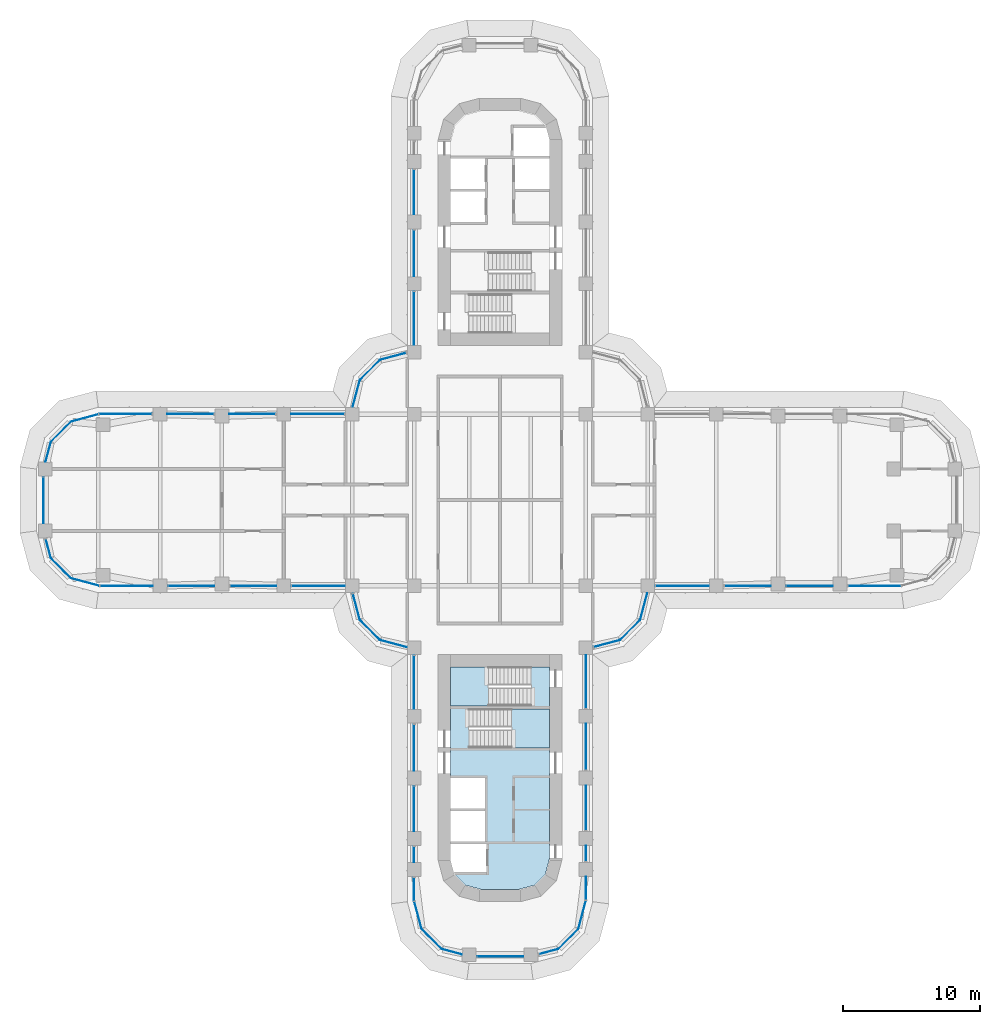
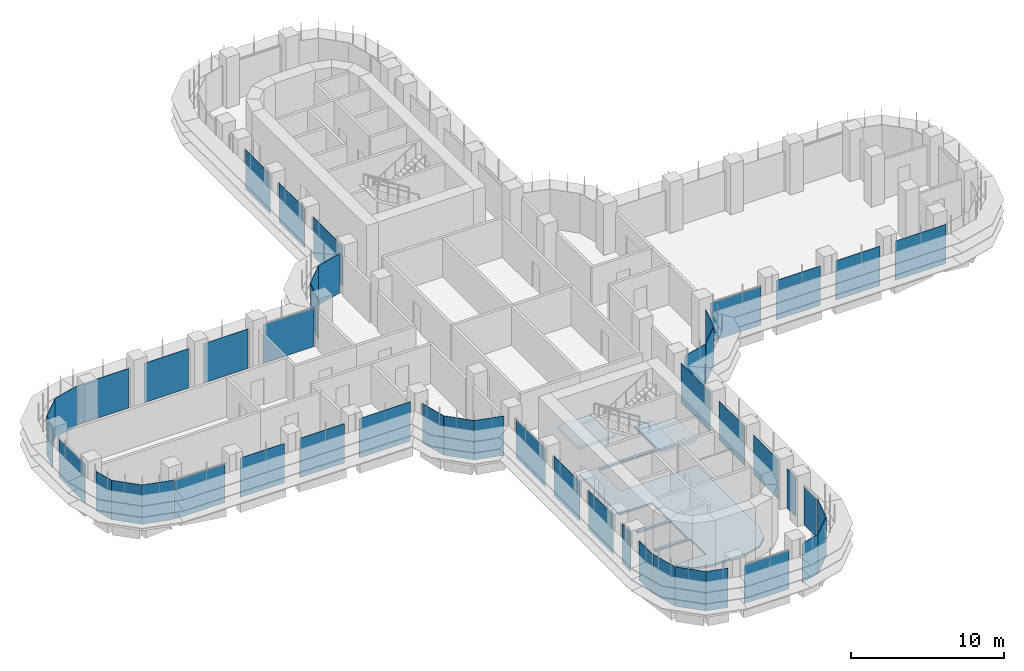
# One storey, part 13 of 23: 48 plates, 3 slabs, 31 elements without a shape of their own.
"""IFC4 building model written with IfcOpenShell, lengths in metres."""

from ifc_helpers import new_model, si_unit, direction, frame, origin, place, context, subcontext, project, spatial, polyline, outline, extrude, source, transform, mapped, material, layer, layer_set, type_object, element, aggregate, save


model = new_model("IFC4")

# Units and contexts
model_context = context("Model", 3, precision=1e-05, world=origin(), true_north=direction((0.0, 1.0)))
body_context = subcontext(model_context, "Body", "Model", "MODEL_VIEW")
ifc_project = project(units=[si_unit("LENGTHUNIT", "METRE"), si_unit("AREAUNIT", "SQUARE_METRE"), si_unit("VOLUMEUNIT", "CUBIC_METRE"), si_unit("PLANEANGLEUNIT", "RADIAN"), si_unit("MASSUNIT", "GRAM", prefix="KILO")], contexts=[model_context])

# Site, building, storey
site_placement = place(None, origin())
site = spatial("IfcSite", under=ifc_project, at=site_placement, CompositionType="ELEMENT")
building_placement = place(site_placement, origin())
building = spatial("IfcBuilding", under=site, at=building_placement, Name="Zarbagh Exchange Tower", CompositionType="ELEMENT")
storey_placement = place(building_placement, frame((0.0, 0.0, 60.60009765625)))
storey = spatial("IfcBuildingStorey", under=building, at=storey_placement, Name="L13", CompositionType="ELEMENT", Elevation=60.60009765625)

# Slab
ifc_material_1 = material(Name="Concrete C40/50", Category="concrete")
ifc_layer_1 = layer(ifc_material_1, 0.14990234375)
ifc_layer_set_1 = layer_set([ifc_layer_1], Name="Core floor slab 150 C40/50")
slab_type_1 = type_object("IfcSlabType", Name="Core floor slab 150 C40/50", PredefinedType="FLOOR", material=ifc_layer_set_1)
slab_1_placement = place(storey_placement, frame((0.0, 0.0, -0.150146484375)))
element("IfcSlab", 1, at=slab_1_placement, inside=storey, type_object=slab_type_1, Name="S17 core S", PredefinedType="FLOOR", context=body_context, shape_type="SweptSolid", body=[
    extrude(outline(polyline([(-2.5341796875, -28.041259765625), (-3.291259765625, -27.2841796875), (-3.340576171875, -27.10009765625), (-1.0, -27.10009765625), (-1.0, -25.050048828125), (-3.60009765625, -25.050048828125), (-3.60009765625, -24.85009765625), (-1.10009765625, -24.85009765625), (-1.10009765625, -22.64990234375), (-3.60009765625, -22.64990234375), (-3.60009765625, -22.449951171875), (-1.10009765625, -22.449951171875), (-1.10009765625, -20.25), (-3.60009765625, -20.25), (-3.60009765625, -15.0), (2.25, -15.0), (2.25, -12.14990234375), (3.60009765625, -12.14990234375), (3.60009765625, -15.199951171875), (-2.25, -15.199951171875), (-2.25, -18.050048828125), (3.60009765625, -18.050048828125), (3.60009765625, -26.131591796875), (3.291259765625, -27.2841796875), (2.5341796875, -28.041259765625), (1.381591796875, -28.35009765625), (-1.381591796875, -28.35009765625), (-2.5341796875, -28.041259765625)])), origin(), (0.0, 0.0, 1.0), 0.150146484375),
])

# Stair, slab
stair_type = type_object("IfcStairType", Name="Exit stair two-flight half-turn", PredefinedType="HALF_TURN_STAIR", material=ifc_material_1)
stair_1_placement = place(storey_placement, origin())
stair_1 = element("IfcStair", 2, at=stair_1_placement, inside=storey, type_object=stair_type, Name="exit stair ST3", PredefinedType="HALF_TURN_STAIR")
ifc_layer_2 = layer(ifc_material_1, 0.199951171875)
ifc_layer_set_2 = layer_set([ifc_layer_2], Name="Stair landing 200 mm")
slab_type_2 = type_object("IfcSlabType", Name="Stair landing 200 mm", PredefinedType="LANDING", material=ifc_layer_set_2)
slab_2_placement = place(storey_placement, frame((0.0, 0.0, 1.89990234375)))
slab_2 = element("IfcSlab", 3, at=slab_2_placement, type_object=slab_type_2, Name="ST3 landing 1", PredefinedType="LANDING", context=body_context, shape_type="SweptSolid", body=[
    extrude(outline(polyline([(0.830078125, -18.050048828125), (3.60009765625, -18.050048828125), (3.60009765625, -15.199951171875), (0.830078125, -15.199951171875), (0.830078125, -18.050048828125)])), origin(), (0.0, 0.0, 1.0), 0.199951171875),
])
aggregate(stair_1, [slab_2])

stair_2_placement = place(storey_placement, origin())
stair_2 = element("IfcStair", 4, at=stair_2_placement, inside=storey, type_object=stair_type, Name="exit stair ST4", PredefinedType="HALF_TURN_STAIR")
slab_3_placement = place(storey_placement, frame((0.0, 0.0, 1.89990234375)))
slab_3 = element("IfcSlab", 5, at=slab_3_placement, type_object=slab_type_2, Name="ST4 landing 1", PredefinedType="LANDING", context=body_context, shape_type="SweptSolid", body=[
    extrude(outline(polyline([(-0.830078125, -12.14990234375), (-3.60009765625, -12.14990234375), (-3.60009765625, -15.0), (-0.830078125, -15.0), (-0.830078125, -12.14990234375)])), origin(), (0.0, 0.0, 1.0), 0.199951171875),
])
aggregate(stair_2, [slab_3])

# Curtain wall, plate
ifc_material_2 = material(Name="Anodised aluminium frame and glazing", Category="aluminium")
curtain_wall_type = type_object("IfcCurtainWallType", Name="CWA Ribbon glazing, lower zones", PredefinedType="NOTDEFINED", material=ifc_material_2)
curtain_wall_1_placement = place(storey_placement, origin())
curtain_wall_1 = element("IfcCurtainWall", 6, at=curtain_wall_1_placement, inside=storey, type_object=curtain_wall_type, Name="CWA01 curtain wall", PredefinedType="NOTDEFINED")
ifc_material_3 = material(Name="Low-e double glazed unit, 6+12+6 mm")
ifc_layer_3 = layer(ifc_material_3, 0.028076171875)
ifc_layer_set_3 = layer_set([ifc_layer_3], Name="PAA Glazing panel, Low-e double glazed unit, 6+12+6 mm")
plate_type = type_object("IfcPlateType", Name="PAA Glazing panel, Low-e double glazed unit, 6+12+6 mm", PredefinedType="CURTAIN_PANEL", material=ifc_layer_set_3)
shared_shape_1 = source(origin(), body_context, "Body", "SweptSolid", [
    extrude(outline(polyline([(0.0, -0.013916015625), (1.4423828125, -0.013916015625), (1.4423828125, 0.013916015625), (0.0, 0.013916015625), (0.0, -0.013916015625)])), origin(), (0.0, 0.0, 1.0), 3.14990234375),
])
placement = place(storey_placement, origin())
plate_1 = element("IfcPlate", 7, at=placement, type_object=plate_type, Name="CWA01 glazing panel 1.1", PredefinedType="CURTAIN_PANEL", context=body_context, shape_type="MappedRepresentation", body=[
    mapped(shared_shape_1, transform((2.847900390625, -33.072021484375, 0.0), x_axis=(0.965924289636, 0.258824779902, 0.0), y_axis=(-0.258824779902, 0.965924289636, 0.0), z_axis=(0.0, 0.0, 1.0))),
])
aggregate(curtain_wall_1, [plate_1])

curtain_wall_2_placement = place(storey_placement, origin())
curtain_wall_2 = element("IfcCurtainWall", 8, at=curtain_wall_2_placement, inside=storey, type_object=curtain_wall_type, Name="CWA37 curtain wall", PredefinedType="NOTDEFINED")
plate_2 = element("IfcPlate", 9, at=placement, type_object=plate_type, Name="CWA37 glazing panel 1.1", PredefinedType="CURTAIN_PANEL", context=body_context, shape_type="MappedRepresentation", body=[
    mapped(shared_shape_1, transform((-33.072021484375, -2.847900390625, 0.0), x_axis=(0.258824779902, -0.965924289636, 0.0), y_axis=(0.965924289636, 0.258824779902, 0.0), z_axis=(0.0, 0.0, 1.0))),
])
aggregate(curtain_wall_2, [plate_2])

curtain_wall_3_placement = place(storey_placement, origin())
curtain_wall_3 = element("IfcCurtainWall", 10, at=curtain_wall_3_placement, inside=storey, type_object=curtain_wall_type, Name="CWA02 curtain wall", PredefinedType="NOTDEFINED")
shared_shape_2 = source(origin(), body_context, "Body", "SweptSolid", [
    extrude(outline(polyline([(0.0, -0.013916015625), (2.061279296875, -0.013916015625), (2.061279296875, 0.013916015625), (0.0, 0.013916015625), (0.0, -0.013916015625)])), origin(), (0.0, 0.0, 1.0), 3.14990234375),
])
plate_3 = element("IfcPlate", 11, at=placement, type_object=plate_type, Name="CWA02 glazing panel 1.1", PredefinedType="CURTAIN_PANEL", context=body_context, shape_type="MappedRepresentation", body=[
    mapped(shared_shape_2, transform((4.2412109375, -32.69873046875, 0.0), x_axis=(0.707106781187, 0.707106781187, 0.0), y_axis=(-0.707106781187, 0.707106781187, 0.0), z_axis=(0.0, 0.0, 1.0))),
])
aggregate(curtain_wall_3, [plate_3])

curtain_wall_4_placement = place(storey_placement, origin())
curtain_wall_4 = element("IfcCurtainWall", 12, at=curtain_wall_4_placement, inside=storey, type_object=curtain_wall_type, Name="CWA06 curtain wall", PredefinedType="NOTDEFINED")
plate_4 = element("IfcPlate", 13, at=placement, type_object=plate_type, Name="CWA06 glazing panel 1.1", PredefinedType="CURTAIN_PANEL", context=body_context, shape_type="MappedRepresentation", body=[
    mapped(shared_shape_2, transform((8.7412109375, -10.19873046875, 0.0), x_axis=(0.707106781187, 0.707106781187, 0.0), y_axis=(-0.707106781187, 0.707106781187, 0.0), z_axis=(0.0, 0.0, 1.0))),
])
aggregate(curtain_wall_4, [plate_4])

curtain_wall_5_placement = place(storey_placement, origin())
curtain_wall_5 = element("IfcCurtainWall", 14, at=curtain_wall_5_placement, inside=storey, type_object=curtain_wall_type, Name="CWA30 curtain wall", PredefinedType="NOTDEFINED")
plate_5 = element("IfcPlate", 15, at=placement, type_object=plate_type, Name="CWA30 glazing panel 1.1", PredefinedType="CURTAIN_PANEL", context=body_context, shape_type="MappedRepresentation", body=[
    mapped(shared_shape_2, transform((-8.7412109375, 10.19873046875, 0.0), x_axis=(-0.707106781187, -0.707106781187, 0.0), y_axis=(0.707106781187, -0.707106781187, 0.0), z_axis=(0.0, 0.0, 1.0))),
])
aggregate(curtain_wall_5, [plate_5])

curtain_wall_6_placement = place(storey_placement, origin())
curtain_wall_6 = element("IfcCurtainWall", 16, at=curtain_wall_6_placement, inside=storey, type_object=curtain_wall_type, Name="CWA34 curtain wall", PredefinedType="NOTDEFINED")
plate_6 = element("IfcPlate", 17, at=placement, type_object=plate_type, Name="CWA34 glazing panel 1.1", PredefinedType="CURTAIN_PANEL", context=body_context, shape_type="MappedRepresentation", body=[
    mapped(shared_shape_2, transform((-31.2412109375, 5.69873046875, 0.0), x_axis=(-0.707106781187, -0.707106781187, 0.0), y_axis=(0.707106781187, -0.707106781187, 0.0), z_axis=(0.0, 0.0, 1.0))),
])
aggregate(curtain_wall_6, [plate_6])

curtain_wall_7_placement = place(storey_placement, origin())
curtain_wall_7 = element("IfcCurtainWall", 18, at=curtain_wall_7_placement, inside=storey, type_object=curtain_wall_type, Name="CWA38 curtain wall", PredefinedType="NOTDEFINED")
plate_7 = element("IfcPlate", 19, at=placement, type_object=plate_type, Name="CWA38 glazing panel 1.1", PredefinedType="CURTAIN_PANEL", context=body_context, shape_type="MappedRepresentation", body=[
    mapped(shared_shape_2, transform((-32.69873046875, -4.2412109375, 0.0), x_axis=(0.707106781187, -0.707106781187, 0.0), y_axis=(0.707106781187, 0.707106781187, 0.0), z_axis=(0.0, 0.0, 1.0))),
])
aggregate(curtain_wall_7, [plate_7])

curtain_wall_8_placement = place(storey_placement, origin())
curtain_wall_8 = element("IfcCurtainWall", 20, at=curtain_wall_8_placement, inside=storey, type_object=curtain_wall_type, Name="CWA42 curtain wall", PredefinedType="NOTDEFINED")
plate_8 = element("IfcPlate", 21, at=placement, type_object=plate_type, Name="CWA42 glazing panel 1.1", PredefinedType="CURTAIN_PANEL", context=body_context, shape_type="MappedRepresentation", body=[
    mapped(shared_shape_2, transform((-10.19873046875, -8.7412109375, 0.0), x_axis=(0.707106781187, -0.707106781187, 0.0), y_axis=(0.707106781187, 0.707106781187, 0.0), z_axis=(0.0, 0.0, 1.0))),
])
aggregate(curtain_wall_8, [plate_8])

curtain_wall_9_placement = place(storey_placement, origin())
curtain_wall_9 = element("IfcCurtainWall", 22, at=curtain_wall_9_placement, inside=storey, type_object=curtain_wall_type, Name="CWA46 curtain wall", PredefinedType="NOTDEFINED")
plate_9 = element("IfcPlate", 23, at=placement, type_object=plate_type, Name="CWA46 glazing panel 1.1", PredefinedType="CURTAIN_PANEL", context=body_context, shape_type="MappedRepresentation", body=[
    mapped(shared_shape_2, transform((-5.69873046875, -31.2412109375, 0.0), x_axis=(0.707106781187, -0.707106781187, 0.0), y_axis=(0.707106781187, 0.707106781187, 0.0), z_axis=(0.0, 0.0, 1.0))),
])
aggregate(curtain_wall_9, [plate_9])

curtain_wall_10_placement = place(storey_placement, origin())
curtain_wall_10 = element("IfcCurtainWall", 24, at=curtain_wall_10_placement, inside=storey, type_object=curtain_wall_type, Name="CWA03 curtain wall", PredefinedType="NOTDEFINED")
shared_shape_3 = source(origin(), body_context, "Body", "SweptSolid", [
    extrude(outline(polyline([(0.0, -0.013916015625), (2.129638671875, -0.013916015625), (2.129638671875, 0.013916015625), (0.0, 0.013916015625), (0.0, -0.013916015625)])), origin(), (0.0, 0.0, 1.0), 3.14990234375),
])
plate_10 = element("IfcPlate", 25, at=placement, type_object=plate_type, Name="CWA03 glazing panel 1.1", PredefinedType="CURTAIN_PANEL", context=body_context, shape_type="MappedRepresentation", body=[
    mapped(shared_shape_3, transform((5.69873046875, -31.2412109375, 0.0), x_axis=(0.258824779902, 0.965924289636, 0.0), y_axis=(-0.965924289636, 0.258824779902, 0.0), z_axis=(0.0, 0.0, 1.0))),
])
aggregate(curtain_wall_10, [plate_10])

curtain_wall_11_placement = place(storey_placement, origin())
curtain_wall_11 = element("IfcCurtainWall", 26, at=curtain_wall_11_placement, inside=storey, type_object=curtain_wall_type, Name="CWA39 curtain wall", PredefinedType="NOTDEFINED")
plate_11 = element("IfcPlate", 27, at=placement, type_object=plate_type, Name="CWA39 glazing panel 1.1", PredefinedType="CURTAIN_PANEL", context=body_context, shape_type="MappedRepresentation", body=[
    mapped(shared_shape_3, transform((-31.2412109375, -5.69873046875, 0.0), x_axis=(0.965924289636, -0.258824779902, 0.0), y_axis=(0.258824779902, 0.965924289636, 0.0), z_axis=(0.0, 0.0, 1.0))),
])
aggregate(curtain_wall_11, [plate_11])

# Curtain wall, plates
curtain_wall_12_placement = place(storey_placement, origin())
curtain_wall_12 = element("IfcCurtainWall", 28, at=curtain_wall_12_placement, inside=storey, type_object=curtain_wall_type, Name="CWA04 curtain wall", PredefinedType="NOTDEFINED")
shared_shape_4 = source(origin(), body_context, "Body", "SweptSolid", [
    extrude(outline(polyline([(0.0, -0.013916015625), (1.68408203125, -0.013916015625), (1.68408203125, 0.013916015625), (0.0, 0.013916015625), (0.0, -0.013916015625)])), origin(), (0.0, 0.0, 1.0), 3.090087890625),
])
plate_12 = element("IfcPlate", 29, at=placement, type_object=plate_type, Name="CWA04 glazing panel 1.1", PredefinedType="CURTAIN_PANEL", context=body_context, shape_type="MappedRepresentation", body=[
    mapped(shared_shape_4, transform((6.25, -29.124267578125, 0.0), x_axis=(0.0, 1.0, 0.0), y_axis=(-1.0, 0.0, 0.0), z_axis=(0.0, 0.0, 1.0))),
])
shared_shape_5 = source(origin(), body_context, "Body", "SweptSolid", [
    extrude(outline(polyline([(0.0, -0.013916015625), (1.110107421875, -0.013916015625), (1.110107421875, 0.013916015625), (0.0, 0.013916015625), (0.0, -0.013916015625)])), origin(), (0.0, 0.0, 1.0), 3.14990234375),
])
plate_13 = element("IfcPlate", 30, at=placement, type_object=plate_type, Name="CWA04 glazing panel 2.1", PredefinedType="CURTAIN_PANEL", context=body_context, shape_type="MappedRepresentation", body=[
    mapped(shared_shape_5, transform((6.25, -26.300048828125, 0.0), x_axis=(0.0, 1.0, 0.0), y_axis=(-1.0, 0.0, 0.0), z_axis=(0.0, 0.0, 1.0))),
])

# Curtain wall, plate
curtain_wall_13_placement = place(storey_placement, origin())
curtain_wall_13 = element("IfcCurtainWall", 31, at=curtain_wall_13_placement, inside=storey, type_object=curtain_wall_type, Name="CWA44 curtain wall", PredefinedType="NOTDEFINED")
plate_14 = element("IfcPlate", 32, at=placement, type_object=plate_type, Name="CWA44 glazing panel 4.1", PredefinedType="CURTAIN_PANEL", context=body_context, shape_type="MappedRepresentation", body=[
    mapped(shared_shape_5, transform((-6.25, -25.25, 0.0), x_axis=(0.0, -1.0, 0.0), y_axis=(1.0, 0.0, 0.0), z_axis=(0.0, 0.0, 1.0))),
])

# Plate
shared_shape_6 = source(origin(), body_context, "Body", "SweptSolid", [
    extrude(outline(polyline([(0.0, -0.013916015625), (3.260009765625, -0.013916015625), (3.260009765625, 0.013916015625), (0.0, 0.013916015625), (0.0, -0.013916015625)])), origin(), (0.0, 0.0, 1.0), 3.14990234375),
])
plate_15 = element("IfcPlate", 33, at=placement, type_object=plate_type, Name="CWA04 glazing panel 3.1", PredefinedType="CURTAIN_PANEL", context=body_context, shape_type="MappedRepresentation", body=[
    mapped(shared_shape_6, transform((6.25, -24.050048828125, 0.0), x_axis=(0.0, 1.0, 0.0), y_axis=(-1.0, 0.0, 0.0), z_axis=(0.0, 0.0, 1.0))),
])

# Curtain wall, plate
curtain_wall_14_placement = place(storey_placement, origin())
curtain_wall_14 = element("IfcCurtainWall", 34, at=curtain_wall_14_placement, inside=storey, type_object=curtain_wall_type, Name="CWA28 curtain wall", PredefinedType="NOTDEFINED")
plate_16 = element("IfcPlate", 35, at=placement, type_object=plate_type, Name="CWA28 glazing panel 3.1", PredefinedType="CURTAIN_PANEL", context=body_context, shape_type="MappedRepresentation", body=[
    mapped(shared_shape_6, transform((-6.25, 24.050048828125, 0.0), x_axis=(0.0, -1.0, 0.0), y_axis=(1.0, 0.0, 0.0), z_axis=(0.0, 0.0, 1.0))),
])

# Plate
plate_17 = element("IfcPlate", 36, at=placement, type_object=plate_type, Name="CWA44 glazing panel 3.1", PredefinedType="CURTAIN_PANEL", context=body_context, shape_type="MappedRepresentation", body=[
    mapped(shared_shape_6, transform((-6.25, -20.85009765625, 0.0), x_axis=(0.0, -1.0, 0.0), y_axis=(1.0, 0.0, 0.0), z_axis=(0.0, 0.0, 1.0))),
])

shared_shape_7 = source(origin(), body_context, "Body", "SweptSolid", [
    extrude(outline(polyline([(0.0, -0.013916015625), (3.360107421875, -0.013916015625), (3.360107421875, 0.013916015625), (0.0, 0.013916015625), (0.0, -0.013916015625)])), origin(), (0.0, 0.0, 1.0), 3.14990234375),
])
plate_18 = element("IfcPlate", 37, at=placement, type_object=plate_type, Name="CWA04 glazing panel 4.1", PredefinedType="CURTAIN_PANEL", context=body_context, shape_type="MappedRepresentation", body=[
    mapped(shared_shape_7, transform((6.25, -19.64990234375, 0.0), x_axis=(0.0, 1.0, 0.0), y_axis=(-1.0, 0.0, 0.0), z_axis=(0.0, 0.0, 1.0))),
])

# Curtain wall, plates
curtain_wall_15_placement = place(storey_placement, origin())
curtain_wall_15 = element("IfcCurtainWall", 38, at=curtain_wall_15_placement, inside=storey, type_object=curtain_wall_type, Name="CWA08 curtain wall", PredefinedType="NOTDEFINED")
plate_19 = element("IfcPlate", 39, at=placement, type_object=plate_type, Name="CWA08 glazing panel 2.1", PredefinedType="CURTAIN_PANEL", context=body_context, shape_type="MappedRepresentation", body=[
    mapped(shared_shape_7, transform((16.35009765625, -6.25, 0.0), x_axis=(1.0, 0.0, 0.0), y_axis=(0.0, 1.0, 0.0), z_axis=(0.0, 0.0, 1.0))),
])
plate_20 = element("IfcPlate", 40, at=placement, type_object=plate_type, Name="CWA08 glazing panel 3.1", PredefinedType="CURTAIN_PANEL", context=body_context, shape_type="MappedRepresentation", body=[
    mapped(shared_shape_7, transform((20.85009765625, -6.25, 0.0), x_axis=(1.0, 0.0, 0.0), y_axis=(0.0, 1.0, 0.0), z_axis=(0.0, 0.0, 1.0))),
])

# Plate
plate_21 = element("IfcPlate", 41, at=placement, type_object=plate_type, Name="CWA28 glazing panel 4.1", PredefinedType="CURTAIN_PANEL", context=body_context, shape_type="MappedRepresentation", body=[
    mapped(shared_shape_7, transform((-6.25, 19.64990234375, 0.0), x_axis=(0.0, -1.0, 0.0), y_axis=(1.0, 0.0, 0.0), z_axis=(0.0, 0.0, 1.0))),
])

# Curtain wall, plates
curtain_wall_16_placement = place(storey_placement, origin())
curtain_wall_16 = element("IfcCurtainWall", 42, at=curtain_wall_16_placement, inside=storey, type_object=curtain_wall_type, Name="CWA32 curtain wall", PredefinedType="NOTDEFINED")
plate_22 = element("IfcPlate", 43, at=placement, type_object=plate_type, Name="CWA32 glazing panel 2.1", PredefinedType="CURTAIN_PANEL", context=body_context, shape_type="MappedRepresentation", body=[
    mapped(shared_shape_7, transform((-16.35009765625, 6.25, 0.0), x_axis=(-1.0, 0.0, 0.0), y_axis=(0.0, -1.0, 0.0), z_axis=(0.0, 0.0, 1.0))),
])
plate_23 = element("IfcPlate", 44, at=placement, type_object=plate_type, Name="CWA32 glazing panel 3.1", PredefinedType="CURTAIN_PANEL", context=body_context, shape_type="MappedRepresentation", body=[
    mapped(shared_shape_7, transform((-20.85009765625, 6.25, 0.0), x_axis=(-1.0, 0.0, 0.0), y_axis=(0.0, -1.0, 0.0), z_axis=(0.0, 0.0, 1.0))),
])

curtain_wall_17_placement = place(storey_placement, origin())
curtain_wall_17 = element("IfcCurtainWall", 45, at=curtain_wall_17_placement, inside=storey, type_object=curtain_wall_type, Name="CWA40 curtain wall", PredefinedType="NOTDEFINED")
plate_24 = element("IfcPlate", 46, at=placement, type_object=plate_type, Name="CWA40 glazing panel 2.1", PredefinedType="CURTAIN_PANEL", context=body_context, shape_type="MappedRepresentation", body=[
    mapped(shared_shape_7, transform((-24.14990234375, -6.25, 0.0), x_axis=(1.0, 0.0, 0.0), y_axis=(0.0, 1.0, 0.0), z_axis=(0.0, 0.0, 1.0))),
])
plate_25 = element("IfcPlate", 47, at=placement, type_object=plate_type, Name="CWA40 glazing panel 3.1", PredefinedType="CURTAIN_PANEL", context=body_context, shape_type="MappedRepresentation", body=[
    mapped(shared_shape_7, transform((-19.64990234375, -6.25, 0.0), x_axis=(1.0, 0.0, 0.0), y_axis=(0.0, 1.0, 0.0), z_axis=(0.0, 0.0, 1.0))),
])

# Plate
plate_26 = element("IfcPlate", 48, at=placement, type_object=plate_type, Name="CWA44 glazing panel 2.1", PredefinedType="CURTAIN_PANEL", context=body_context, shape_type="MappedRepresentation", body=[
    mapped(shared_shape_7, transform((-6.25, -16.35009765625, 0.0), x_axis=(0.0, -1.0, 0.0), y_axis=(1.0, 0.0, 0.0), z_axis=(0.0, 0.0, 1.0))),
])

# Curtain wall, plate
curtain_wall_18_placement = place(storey_placement, origin())
curtain_wall_18 = element("IfcCurtainWall", 49, at=curtain_wall_18_placement, inside=storey, type_object=curtain_wall_type, Name="CWA05 curtain wall", PredefinedType="NOTDEFINED")
shared_shape_8 = source(origin(), body_context, "Body", "SweptSolid", [
    extrude(outline(polyline([(0.0, -0.013916015625), (1.9599609375, -0.013916015625), (1.9599609375, 0.013916015625), (0.0, 0.013916015625), (0.0, -0.013916015625)])), origin(), (0.0, 0.0, 1.0), 3.14990234375),
])
plate_27 = element("IfcPlate", 50, at=placement, type_object=plate_type, Name="CWA05 glazing panel 1.1", PredefinedType="CURTAIN_PANEL", context=body_context, shape_type="MappedRepresentation", body=[
    mapped(shared_shape_8, transform((6.847900390625, -10.7060546875, 0.0), x_axis=(0.965924289636, 0.258824779902, 0.0), y_axis=(-0.258824779902, 0.965924289636, 0.0), z_axis=(0.0, 0.0, 1.0))),
])
aggregate(curtain_wall_18, [plate_27])

curtain_wall_19_placement = place(storey_placement, origin())
curtain_wall_19 = element("IfcCurtainWall", 51, at=curtain_wall_19_placement, inside=storey, type_object=curtain_wall_type, Name="CWA29 curtain wall", PredefinedType="NOTDEFINED")
plate_28 = element("IfcPlate", 52, at=placement, type_object=plate_type, Name="CWA29 glazing panel 1.1", PredefinedType="CURTAIN_PANEL", context=body_context, shape_type="MappedRepresentation", body=[
    mapped(shared_shape_8, transform((-6.847900390625, 10.7060546875, 0.0), x_axis=(-0.965924289636, -0.258824779902, 0.0), y_axis=(0.258824779902, -0.965924289636, 0.0), z_axis=(0.0, 0.0, 1.0))),
])
aggregate(curtain_wall_19, [plate_28])

curtain_wall_20_placement = place(storey_placement, origin())
curtain_wall_20 = element("IfcCurtainWall", 53, at=curtain_wall_20_placement, inside=storey, type_object=curtain_wall_type, Name="CWA41 curtain wall", PredefinedType="NOTDEFINED")
plate_29 = element("IfcPlate", 54, at=placement, type_object=plate_type, Name="CWA41 glazing panel 1.1", PredefinedType="CURTAIN_PANEL", context=body_context, shape_type="MappedRepresentation", body=[
    mapped(shared_shape_8, transform((-10.7060546875, -6.847900390625, 0.0), x_axis=(0.258824779902, -0.965924289636, 0.0), y_axis=(0.965924289636, 0.258824779902, 0.0), z_axis=(0.0, 0.0, 1.0))),
])
aggregate(curtain_wall_20, [plate_29])

curtain_wall_21_placement = place(storey_placement, origin())
curtain_wall_21 = element("IfcCurtainWall", 55, at=curtain_wall_21_placement, inside=storey, type_object=curtain_wall_type, Name="CWA07 curtain wall", PredefinedType="NOTDEFINED")
shared_shape_9 = source(origin(), body_context, "Body", "SweptSolid", [
    extrude(outline(polyline([(0.0, -0.013916015625), (2.02001953125, -0.013916015625), (2.02001953125, 0.013916015625), (0.0, 0.013916015625), (0.0, -0.013916015625)])), origin(), (0.0, 0.0, 1.0), 3.14990234375),
])
plate_30 = element("IfcPlate", 56, at=placement, type_object=plate_type, Name="CWA07 glazing panel 1.1", PredefinedType="CURTAIN_PANEL", context=body_context, shape_type="MappedRepresentation", body=[
    mapped(shared_shape_9, transform((10.19873046875, -8.7412109375, 0.0), x_axis=(0.258824779902, 0.965924289636, 0.0), y_axis=(-0.965924289636, 0.258824779902, 0.0), z_axis=(0.0, 0.0, 1.0))),
])
aggregate(curtain_wall_21, [plate_30])

curtain_wall_22_placement = place(storey_placement, origin())
curtain_wall_22 = element("IfcCurtainWall", 57, at=curtain_wall_22_placement, inside=storey, type_object=curtain_wall_type, Name="CWA31 curtain wall", PredefinedType="NOTDEFINED")
plate_31 = element("IfcPlate", 58, at=placement, type_object=plate_type, Name="CWA31 glazing panel 1.1", PredefinedType="CURTAIN_PANEL", context=body_context, shape_type="MappedRepresentation", body=[
    mapped(shared_shape_9, transform((-10.19873046875, 8.7412109375, 0.0), x_axis=(-0.258824779902, -0.965924289636, 0.0), y_axis=(0.965924289636, -0.258824779902, 0.0), z_axis=(0.0, 0.0, 1.0))),
])
aggregate(curtain_wall_22, [plate_31])

curtain_wall_23_placement = place(storey_placement, origin())
curtain_wall_23 = element("IfcCurtainWall", 59, at=curtain_wall_23_placement, inside=storey, type_object=curtain_wall_type, Name="CWA43 curtain wall", PredefinedType="NOTDEFINED")
plate_32 = element("IfcPlate", 60, at=placement, type_object=plate_type, Name="CWA43 glazing panel 1.1", PredefinedType="CURTAIN_PANEL", context=body_context, shape_type="MappedRepresentation", body=[
    mapped(shared_shape_9, transform((-8.7412109375, -10.19873046875, 0.0), x_axis=(0.965924289636, -0.258824779902, 0.0), y_axis=(0.258824779902, 0.965924289636, 0.0), z_axis=(0.0, 0.0, 1.0))),
])
aggregate(curtain_wall_23, [plate_32])

# Plate
shared_shape_10 = source(origin(), body_context, "Body", "SweptSolid", [
    extrude(outline(polyline([(0.0, -0.013916015625), (3.860107421875, -0.013916015625), (3.860107421875, 0.013916015625), (0.0, 0.013916015625), (0.0, -0.013916015625)])), origin(), (0.0, 0.0, 1.0), 3.090087890625),
])
plate_33 = element("IfcPlate", 61, at=placement, type_object=plate_type, Name="CWA08 glazing panel 1.1", PredefinedType="CURTAIN_PANEL", context=body_context, shape_type="MappedRepresentation", body=[
    mapped(shared_shape_10, transform((11.35009765625, -6.25, 0.0), x_axis=(1.0, 0.0, 0.0), y_axis=(0.0, 1.0, 0.0), z_axis=(0.0, 0.0, 1.0))),
])

plate_34 = element("IfcPlate", 62, at=placement, type_object=plate_type, Name="CWA32 glazing panel 1.1", PredefinedType="CURTAIN_PANEL", context=body_context, shape_type="MappedRepresentation", body=[
    mapped(shared_shape_10, transform((-11.35009765625, 6.25, 0.0), x_axis=(-1.0, 0.0, 0.0), y_axis=(0.0, -1.0, 0.0), z_axis=(0.0, 0.0, 1.0))),
])

plate_35 = element("IfcPlate", 63, at=placement, type_object=plate_type, Name="CWA44 glazing panel 1.1", PredefinedType="CURTAIN_PANEL", context=body_context, shape_type="MappedRepresentation", body=[
    mapped(shared_shape_10, transform((-6.25, -11.35009765625, 0.0), x_axis=(0.0, -1.0, 0.0), y_axis=(1.0, 0.0, 0.0), z_axis=(0.0, 0.0, 1.0))),
])

shared_shape_11 = source(origin(), body_context, "Body", "SweptSolid", [
    extrude(outline(polyline([(0.0, -0.013916015625), (3.833984375, -0.013916015625), (3.833984375, 0.013916015625), (0.0, 0.013916015625), (0.0, -0.013916015625)])), origin(), (0.0, 0.0, 1.0), 3.14990234375),
])
plate_36 = element("IfcPlate", 64, at=placement, type_object=plate_type, Name="CWA08 glazing panel 4.1", PredefinedType="CURTAIN_PANEL", context=body_context, shape_type="MappedRepresentation", body=[
    mapped(shared_shape_11, transform((25.35009765625, -6.25, 0.0), x_axis=(1.0, 0.0, 0.0), y_axis=(0.0, 1.0, 0.0), z_axis=(0.0, 0.0, 1.0))),
])

aggregate(curtain_wall_15, [plate_33, plate_19, plate_20, plate_36])

plate_37 = element("IfcPlate", 65, at=placement, type_object=plate_type, Name="CWA32 glazing panel 4.1", PredefinedType="CURTAIN_PANEL", context=body_context, shape_type="MappedRepresentation", body=[
    mapped(shared_shape_11, transform((-25.35009765625, 6.25, 0.0), x_axis=(-1.0, 0.0, 0.0), y_axis=(0.0, -1.0, 0.0), z_axis=(0.0, 0.0, 1.0))),
])

aggregate(curtain_wall_16, [plate_34, plate_22, plate_23, plate_37])

# Curtain wall, plate
curtain_wall_24_placement = place(storey_placement, origin())
curtain_wall_24 = element("IfcCurtainWall", 66, at=curtain_wall_24_placement, inside=storey, type_object=curtain_wall_type, Name="CWA33 curtain wall", PredefinedType="NOTDEFINED")
shared_shape_12 = source(origin(), body_context, "Body", "SweptSolid", [
    extrude(outline(polyline([(0.0, -0.013916015625), (2.069580078125, -0.013916015625), (2.069580078125, 0.013916015625), (0.0, 0.013916015625), (0.0, -0.013916015625)])), origin(), (0.0, 0.0, 1.0), 3.14990234375),
])
plate_38 = element("IfcPlate", 67, at=placement, type_object=plate_type, Name="CWA33 glazing panel 1.1", PredefinedType="CURTAIN_PANEL", context=body_context, shape_type="MappedRepresentation", body=[
    mapped(shared_shape_12, transform((-29.2421875, 6.234375, 0.0), x_axis=(-0.965924289636, -0.258824779902, 0.0), y_axis=(0.258824779902, -0.965924289636, 0.0), z_axis=(0.0, 0.0, 1.0))),
])
aggregate(curtain_wall_24, [plate_38])

curtain_wall_25_placement = place(storey_placement, origin())
curtain_wall_25 = element("IfcCurtainWall", 68, at=curtain_wall_25_placement, inside=storey, type_object=curtain_wall_type, Name="CWA45 curtain wall", PredefinedType="NOTDEFINED")
plate_39 = element("IfcPlate", 69, at=placement, type_object=plate_type, Name="CWA45 glazing panel 1.1", PredefinedType="CURTAIN_PANEL", context=body_context, shape_type="MappedRepresentation", body=[
    mapped(shared_shape_12, transform((-6.234375, -29.2421875, 0.0), x_axis=(0.258824779902, -0.965924289636, 0.0), y_axis=(0.965924289636, 0.258824779902, 0.0), z_axis=(0.0, 0.0, 1.0))),
])
aggregate(curtain_wall_25, [plate_39])

curtain_wall_26_placement = place(storey_placement, origin())
curtain_wall_26 = element("IfcCurtainWall", 70, at=curtain_wall_26_placement, inside=storey, type_object=curtain_wall_type, Name="CWA35 curtain wall", PredefinedType="NOTDEFINED")
shared_shape_13 = source(origin(), body_context, "Body", "SweptSolid", [
    extrude(outline(polyline([(0.0, -0.013916015625), (1.50244140625, -0.013916015625), (1.50244140625, 0.013916015625), (0.0, 0.013916015625), (0.0, -0.013916015625)])), origin(), (0.0, 0.0, 1.0), 3.14990234375),
])
plate_40 = element("IfcPlate", 71, at=placement, type_object=plate_type, Name="CWA35 glazing panel 1.1", PredefinedType="CURTAIN_PANEL", context=body_context, shape_type="MappedRepresentation", body=[
    mapped(shared_shape_13, transform((-32.69873046875, 4.2412109375, 0.0), x_axis=(-0.258824779902, -0.965924289636, 0.0), y_axis=(0.965924289636, -0.258824779902, 0.0), z_axis=(0.0, 0.0, 1.0))),
])
aggregate(curtain_wall_26, [plate_40])

curtain_wall_27_placement = place(storey_placement, origin())
curtain_wall_27 = element("IfcCurtainWall", 72, at=curtain_wall_27_placement, inside=storey, type_object=curtain_wall_type, Name="CWA47 curtain wall", PredefinedType="NOTDEFINED")
plate_41 = element("IfcPlate", 73, at=placement, type_object=plate_type, Name="CWA47 glazing panel 1.1", PredefinedType="CURTAIN_PANEL", context=body_context, shape_type="MappedRepresentation", body=[
    mapped(shared_shape_13, transform((-4.2412109375, -32.69873046875, 0.0), x_axis=(0.965924289636, -0.258824779902, 0.0), y_axis=(0.258824779902, 0.965924289636, 0.0), z_axis=(0.0, 0.0, 1.0))),
])
aggregate(curtain_wall_27, [plate_41])

curtain_wall_28_placement = place(storey_placement, origin())
curtain_wall_28 = element("IfcCurtainWall", 74, at=curtain_wall_28_placement, inside=storey, type_object=curtain_wall_type, Name="CWA36 curtain wall", PredefinedType="NOTDEFINED")
shared_shape_14 = source(origin(), body_context, "Body", "SweptSolid", [
    extrude(outline(polyline([(0.0, -0.013916015625), (3.360107421875, -0.013916015625), (3.360107421875, 0.013916015625), (0.0, 0.013916015625), (0.0, -0.013916015625)])), origin(), (0.0, 0.0, 1.0), 3.090087890625),
])
plate_42 = element("IfcPlate", 75, at=placement, type_object=plate_type, Name="CWA36 glazing panel 1.1", PredefinedType="CURTAIN_PANEL", context=body_context, shape_type="MappedRepresentation", body=[
    mapped(shared_shape_14, transform((-33.25, 1.64990234375, 0.0), x_axis=(0.0, -1.0, 0.0), y_axis=(1.0, 0.0, 0.0), z_axis=(0.0, 0.0, 1.0))),
])
aggregate(curtain_wall_28, [plate_42])

curtain_wall_29_placement = place(storey_placement, origin())
curtain_wall_29 = element("IfcCurtainWall", 76, at=curtain_wall_29_placement, inside=storey, type_object=curtain_wall_type, Name="CWA48 curtain wall", PredefinedType="NOTDEFINED")
plate_43 = element("IfcPlate", 77, at=placement, type_object=plate_type, Name="CWA48 glazing panel 1.1", PredefinedType="CURTAIN_PANEL", context=body_context, shape_type="MappedRepresentation", body=[
    mapped(shared_shape_14, transform((-1.64990234375, -33.25, 0.0), x_axis=(1.0, 0.0, 0.0), y_axis=(0.0, 1.0, 0.0), z_axis=(0.0, 0.0, 1.0))),
])
aggregate(curtain_wall_29, [plate_43])

# Plate
shared_shape_15 = source(origin(), body_context, "Body", "SweptSolid", [
    extrude(outline(polyline([(0.0, -0.013916015625), (3.834228515625, -0.013916015625), (3.834228515625, 0.013916015625), (0.0, 0.013916015625), (0.0, -0.013916015625)])), origin(), (0.0, 0.0, 1.0), 3.090087890625),
])
plate_44 = element("IfcPlate", 78, at=placement, type_object=plate_type, Name="CWA40 glazing panel 1.1", PredefinedType="CURTAIN_PANEL", context=body_context, shape_type="MappedRepresentation", body=[
    mapped(shared_shape_15, transform((-29.124267578125, -6.25, 0.0), x_axis=(1.0, 0.0, 0.0), y_axis=(0.0, 1.0, 0.0), z_axis=(0.0, 0.0, 1.0))),
])

shared_shape_16 = source(origin(), body_context, "Body", "SweptSolid", [
    extrude(outline(polyline([(0.0, -0.013916015625), (3.860107421875, -0.013916015625), (3.860107421875, 0.013916015625), (0.0, 0.013916015625), (0.0, -0.013916015625)])), origin(), (0.0, 0.0, 1.0), 3.14990234375),
])
plate_45 = element("IfcPlate", 79, at=placement, type_object=plate_type, Name="CWA04 glazing panel 5.1", PredefinedType="CURTAIN_PANEL", context=body_context, shape_type="MappedRepresentation", body=[
    mapped(shared_shape_16, transform((6.25, -15.14990234375, 0.0), x_axis=(0.0, 1.0, 0.0), y_axis=(-1.0, 0.0, 0.0), z_axis=(0.0, 0.0, 1.0))),
])

aggregate(curtain_wall_12, [plate_12, plate_13, plate_15, plate_18, plate_45])

plate_46 = element("IfcPlate", 80, at=placement, type_object=plate_type, Name="CWA28 glazing panel 5.1", PredefinedType="CURTAIN_PANEL", context=body_context, shape_type="MappedRepresentation", body=[
    mapped(shared_shape_16, transform((-6.25, 15.14990234375, 0.0), x_axis=(0.0, -1.0, 0.0), y_axis=(1.0, 0.0, 0.0), z_axis=(0.0, 0.0, 1.0))),
])

aggregate(curtain_wall_14, [plate_16, plate_21, plate_46])

plate_47 = element("IfcPlate", 81, at=placement, type_object=plate_type, Name="CWA40 glazing panel 4.1", PredefinedType="CURTAIN_PANEL", context=body_context, shape_type="MappedRepresentation", body=[
    mapped(shared_shape_16, transform((-15.14990234375, -6.25, 0.0), x_axis=(1.0, 0.0, 0.0), y_axis=(0.0, 1.0, 0.0), z_axis=(0.0, 0.0, 1.0))),
])

aggregate(curtain_wall_17, [plate_44, plate_24, plate_25, plate_47])

shared_shape_17 = source(origin(), body_context, "Body", "SweptSolid", [
    extrude(outline(polyline([(0.0, -0.013916015625), (1.68408203125, -0.013916015625), (1.68408203125, 0.013916015625), (0.0, 0.013916015625), (0.0, -0.013916015625)])), origin(), (0.0, 0.0, 1.0), 3.14990234375),
])
plate_48 = element("IfcPlate", 82, at=placement, type_object=plate_type, Name="CWA44 glazing panel 5.1", PredefinedType="CURTAIN_PANEL", context=body_context, shape_type="MappedRepresentation", body=[
    mapped(shared_shape_17, transform((-6.25, -27.5, 0.0), x_axis=(0.0, -1.0, 0.0), y_axis=(1.0, 0.0, 0.0), z_axis=(0.0, 0.0, 1.0))),
])

aggregate(curtain_wall_13, [plate_35, plate_26, plate_17, plate_14, plate_48])

save(model, "model.ifc")
